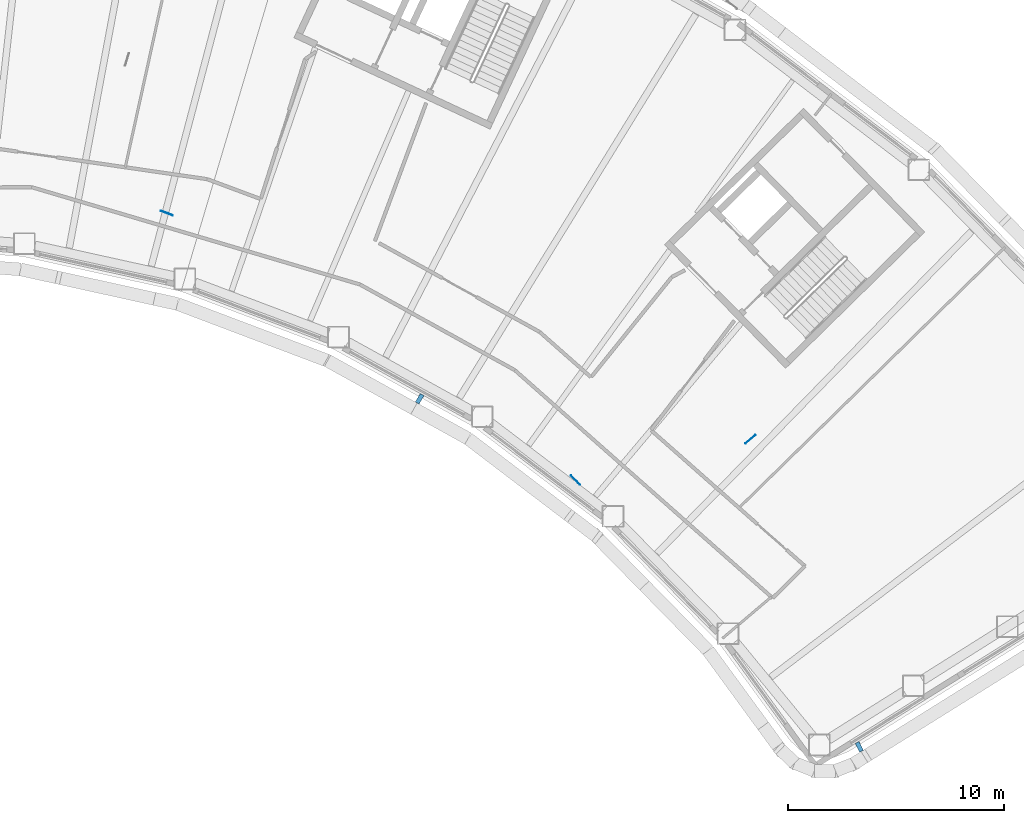
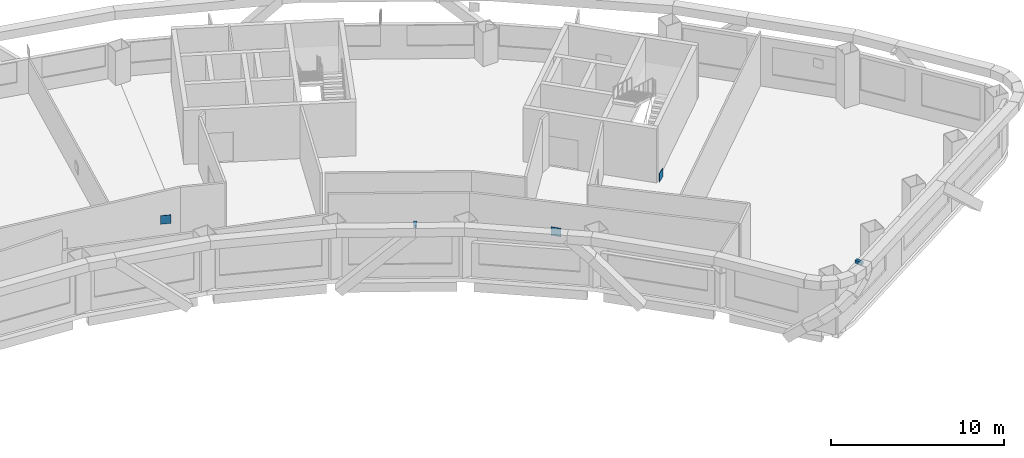
# One storey, part 13 of 19: 5 discrete accessories.
"""IFC4 building model written with IfcOpenShell, lengths in metres."""

from ifc_helpers import new_model, si_unit, direction, frame, origin, origin_2d, place, context, subcontext, project, spatial, rectangle, extrude, material, type_object, element, save


model = new_model("IFC4")

# Units and contexts
model_context = context("Model", 3, precision=1e-05, world=origin(), true_north=direction((0.0, 1.0)))
body_context = subcontext(model_context, "Body", "Model", "MODEL_VIEW")
ifc_project = project(units=[si_unit("LENGTHUNIT", "METRE"), si_unit("AREAUNIT", "SQUARE_METRE"), si_unit("VOLUMEUNIT", "CUBIC_METRE"), si_unit("PLANEANGLEUNIT", "RADIAN"), si_unit("MASSUNIT", "GRAM", prefix="KILO")], contexts=[model_context])

# Site, building, storey
site_placement = place(None, origin())
site = spatial("IfcSite", under=ifc_project, at=site_placement, CompositionType="ELEMENT")
building_placement = place(site_placement, origin())
building = spatial("IfcBuilding", under=site, at=building_placement, Name="Tuul Gate Civic Tower", CompositionType="ELEMENT")
storey_placement = place(building_placement, frame((0.0, 0.0, 163.39990234375)))
storey = spatial("IfcBuildingStorey", under=building, at=storey_placement, Name="Level 37", CompositionType="ELEMENT", Elevation=163.39990234375)

# Discrete accessories
ifc_material_1 = material(Name="Steel S355", Category="steel")
discrete_accessory_type_1 = type_object("IfcDiscreteAccessoryType", Name="Gusset plate", PredefinedType="BRACKET", material=ifc_material_1)
for number, where, z_axis, x_axis, name in (
    (1, (46.501220703125, -21.7060546875, 2.79736328125), (0.0, 0.0, 1.0), (0.76282474496, 0.646605295738, 0.0), "Gusset plate"),
    (2, (38.4140625, -23.597900390625, 2.796142578125), (0.0, 0.0, 1.0), (-0.699958144192, 0.714183867347, 0.0), "Gusset plate"),
    (3, (19.526611328125, -11.265380859375, 2.796142578125), (0.0, 0.0, 1.0), (-0.935367540469, 0.353677203444, 0.0), "Gusset plate"),
):
    element("IfcDiscreteAccessory", number, at=place(storey_placement, frame(where, z_axis=z_axis, x_axis=x_axis)), inside=storey, type_object=discrete_accessory_type_1, Name=name, PredefinedType="BRACKET", context=body_context, shape_type="SweptSolid", body=[
        extrude(rectangle(XDim=0.60009765625, YDim=0.030029296875, at=origin_2d()), origin(), (0.0, 0.0, 1.0), 0.60009765625),
    ])
ifc_material_2 = material(Name="Stainless steel", Category="steel")
discrete_accessory_type_2 = type_object("IfcDiscreteAccessoryType", Name="Screen bracket", PredefinedType="BRACKET", material=ifc_material_2)
discrete_accessory_1_placement = place(storey_placement, frame((31.209716796875, -19.841552734375, 3.75), z_axis=(0.0, 0.0, 1.0), x_axis=(-0.499377133005, -0.866384717682, 0.0)))
element("IfcDiscreteAccessory", 4, at=discrete_accessory_1_placement, inside=storey, type_object=discrete_accessory_type_2, Name="Screen bracket 29", PredefinedType="BRACKET", context=body_context, shape_type="SweptSolid", body=[
    extrude(rectangle(XDim=0.4501953125, YDim=0.199951171875, at=origin_2d()), origin(), (0.0, 0.0, 1.0), 0.199951171875),
])
discrete_accessory_2_placement = place(storey_placement, frame((51.519775390625, -35.920166015625, 3.75), z_axis=(0.0, 0.0, 1.0), x_axis=(0.453848979937, -0.891078617974, 0.0)))
element("IfcDiscreteAccessory", 5, at=discrete_accessory_2_placement, inside=storey, type_object=discrete_accessory_type_2, Name="Screen bracket 32", PredefinedType="BRACKET", context=body_context, shape_type="SweptSolid", body=[
    extrude(rectangle(XDim=0.45166015625, YDim=0.199951171875, at=origin_2d()), origin(), (0.0, 0.0, 1.0), 0.199951171875),
])

save(model, "model.ifc")
